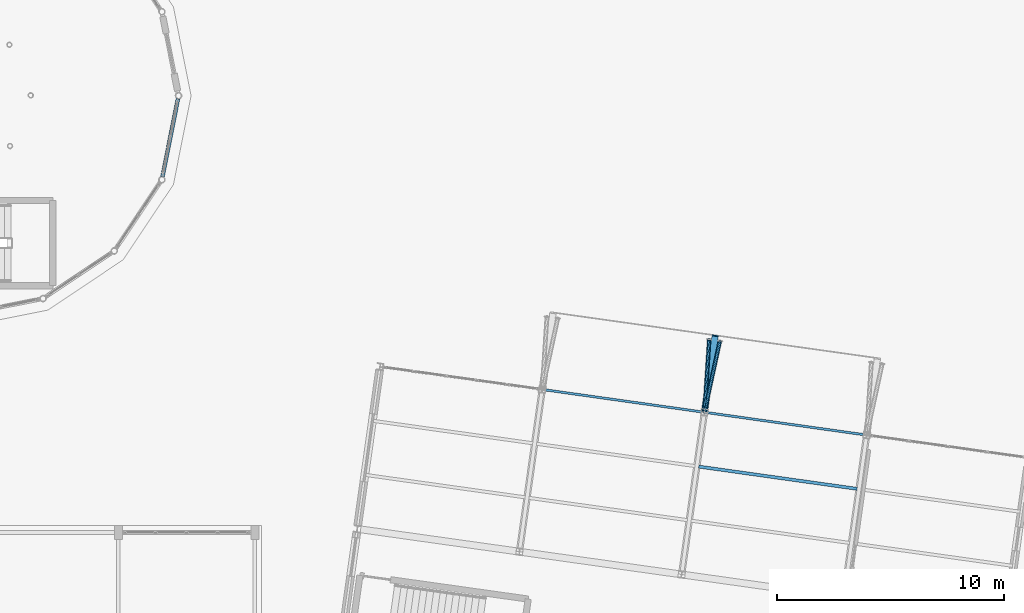
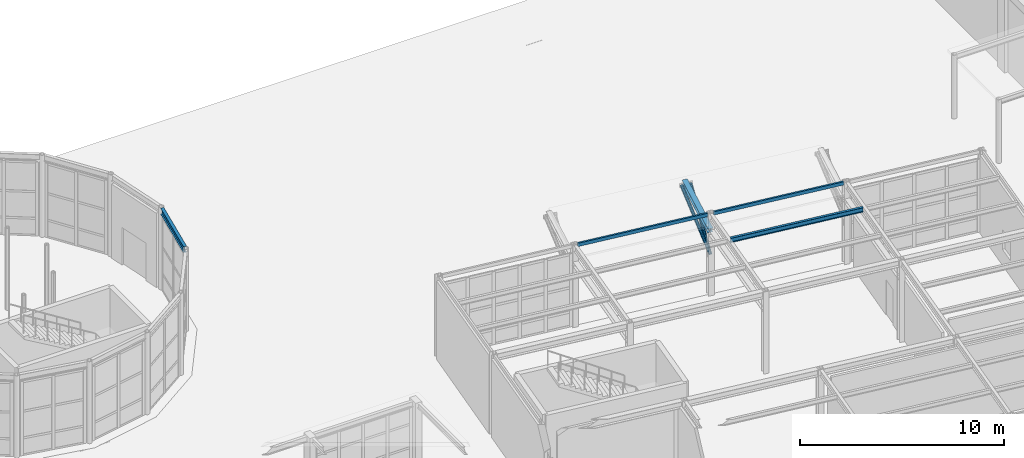
# One storey, part 28 of 57: 5 beams, 2 members.
"""IFC4 building model written with IfcOpenShell, lengths in metres."""

from ifc_helpers import new_model, si_unit, direction, frame, origin, origin_2d, place, context, subcontext, project, spatial, hollow_rectangle, hollow_circle, i_section, extrude, material, material_profile, profile_set, type_object, element, save


model = new_model("IFC4")

# Units and contexts
model_context = context("Model", 3, precision=1e-05, world=origin(), true_north=direction((0.0, 1.0)))
body_context = subcontext(model_context, "Body", "Model", "MODEL_VIEW")
ifc_project = project(units=[si_unit("LENGTHUNIT", "METRE"), si_unit("AREAUNIT", "SQUARE_METRE"), si_unit("VOLUMEUNIT", "CUBIC_METRE"), si_unit("PLANEANGLEUNIT", "RADIAN"), si_unit("MASSUNIT", "GRAM", prefix="KILO")], contexts=[model_context])

# Site, building, storey
site_placement = place(None, origin())
site = spatial("IfcSite", under=ifc_project, at=site_placement, CompositionType="ELEMENT")
building_placement = place(site_placement, origin())
building = spatial("IfcBuilding", under=site, at=building_placement, Name="Kharisveld Research Institute", CompositionType="ELEMENT")
storey_placement = place(building_placement, origin())
storey = spatial("IfcBuildingStorey", under=building, at=storey_placement, Name="L00", CompositionType="ELEMENT", Elevation=0.0)

# Beams
ifc_material_1 = material(Name="Steel S355JR", Category="steel")
ifc_material_profile_1 = material_profile(ifc_material_1, i_section(OverallWidth=0.280029296875, OverallDepth=0.27001953125, WebThickness=0.008056640625, FlangeThickness=0.012939453125, at=origin_2d()))
ifc_profile_set_1 = profile_set([ifc_material_profile_1], Name="Steel S355JR")
beam_type_1 = type_object("IfcBeamType", Name="BM_ST_HEA280", PredefinedType="BEAM", material=ifc_profile_set_1)
beam_1_placement = place(storey_placement, frame((92.26611328125, 36.8857421875, 3.81005859375), z_axis=(0.135892229378, 0.967022567261, 0.215408115918), x_axis=(-0.990270034525, 0.139159112966, 0.0)))
element("IfcBeam", 1, at=beam_1_placement, inside=storey, type_object=beam_type_1, Name="BM:V4:L00:CAN_OUT_2", PredefinedType="BEAM", context=body_context, shape_type="SweptSolid", body=[
    extrude(i_section(OverallWidth=0.280029296875, OverallDepth=0.27001953125, WebThickness=0.008056640625, FlangeThickness=0.012939453125, at=origin_2d()), origin(), (0.0, 0.0, 1.0), 3.481689453125),
])
ifc_material_2 = material(Name="Steel S355JR", Category="steel")
ifc_material_profile_2 = material_profile(ifc_material_2, i_section(OverallWidth=0.169921875, OverallDepth=0.360107421875, WebThickness=0.008056640625, FlangeThickness=0.0126953125, at=origin_2d()))
ifc_profile_set_2 = profile_set([ifc_material_profile_2], Name="Steel S355JR")
beam_type_2 = type_object("IfcBeamType", Name="BM_ST_IPE360", PredefinedType="BEAM", material=ifc_profile_set_2)
beam_2_placement = place(storey_placement, frame((68.442138671875, 47.240966796875, 4.739990234375), z_axis=(0.195053898644, 0.980792524759, 0.0), x_axis=(-0.980792524759, 0.195053898644, 0.0)))
element("IfcBeam", 2, at=beam_2_placement, inside=storey, type_object=beam_type_2, Name="BM:V6:L00:RING15", PredefinedType="BEAM", context=body_context, shape_type="SweptSolid", body=[
    extrude(i_section(OverallWidth=0.169921875, OverallDepth=0.360107421875, WebThickness=0.008056640625, FlangeThickness=0.0126953125, at=origin_2d()), origin(), (0.0, 0.0, 1.0), 3.4921875),
])
ifc_material_3 = material(Name="Steel S355JR", Category="steel")
ifc_material_profile_3 = material_profile(ifc_material_3, i_section(OverallWidth=0.135009765625, OverallDepth=0.27001953125, WebThickness=0.006591796875, FlangeThickness=0.01025390625, at=origin_2d()))
ifc_profile_set_3 = profile_set([ifc_material_profile_3], Name="Steel S355JR")
beam_type_3 = type_object("IfcBeamType", Name="JS_ST_IPE270", PredefinedType="JOIST", material=ifc_profile_set_3)
beam_3_placement = place(storey_placement, frame((92.01611328125, 34.497314453125, 4.784912109375), z_axis=(0.990265780356, -0.139189382699, 0.0), x_axis=(0.139189382699, 0.990265780356, 0.0)))
element("IfcBeam", 3, at=beam_3_placement, inside=storey, type_object=beam_type_3, Name="BM:V4:L00:J_2_2_R2", PredefinedType="JOIST", context=body_context, shape_type="SweptSolid", body=[
    extrude(i_section(OverallWidth=0.135009765625, OverallDepth=0.27001953125, WebThickness=0.006591796875, FlangeThickness=0.01025390625, at=origin_2d()), origin(), (0.0, 0.0, 1.0), 7.030029296875),
])
ifc_material_4 = material(Name="Steel S355J2H", Category="steel")
ifc_material_profile_4 = material_profile(ifc_material_4, hollow_rectangle(XDim=0.10009765625, YDim=0.199951171875, WallThickness=0.008056640625, at=origin_2d()))
ifc_profile_set_4 = profile_set([ifc_material_profile_4], Name="Steel S355J2H")
beam_type_4 = type_object("IfcBeamType", Name="SP_ST_RHS200", PredefinedType="SPANDREL", material=ifc_profile_set_4)
for number, where, z_axis, x_axis, name in (
    (4, (85.28466796875, 37.866943359375, 4.820068359375), (0.990264734633, -0.139196822312, 0.0), (0.139196822312, 0.990264734633, 0.0), "BM:V4:L00:U1_3"),
    (5, (92.41455078125, 36.86474609375, 4.820068359375), (0.990269611306, -0.139162124603, 0.0), (0.139162124603, 0.990269611306, 0.0), "BM:V4:L00:U2_3"),
):
    element("IfcBeam", number, at=place(storey_placement, frame(where, z_axis=z_axis, x_axis=x_axis)), inside=storey, type_object=beam_type_4, Name=name, PredefinedType="SPANDREL", context=body_context, shape_type="SweptSolid", body=[
        extrude(hollow_rectangle(XDim=0.10009765625, YDim=0.199951171875, WallThickness=0.008056640625, at=origin_2d()), origin(), (0.0, 0.0, 1.0), 6.89990234375),
    ])

# Members
ifc_material_5 = material(Name="Steel S355J2H", Category="steel")
ifc_material_profile_5 = material_profile(ifc_material_5, hollow_circle(Radius=0.084228515625, WallThickness=0.008056640625, at=origin_2d()))
ifc_profile_set_5 = profile_set([ifc_material_profile_5], Name="Steel S355J2H")
member_type = type_object("IfcMemberType", Name="ST_CHS168", PredefinedType="STRUT", material=ifc_profile_set_5)
member_1_placement = place(storey_placement, frame((92.26611328125, 36.8857421875, 2.39990234375), z_axis=(0.053957236669, 0.832591901356, 0.551252521453), x_axis=(-0.997906660428, 0.064670681714, 0.0)))
element("IfcMember", 6, at=member_1_placement, inside=storey, type_object=member_type, Name="MEM:V4:L00:CAN_STRUT_2A", PredefinedType="STRUT", context=body_context, shape_type="SweptSolid", body=[
    extrude(hollow_circle(Radius=0.084228515625, WallThickness=0.008056640625, at=origin_2d()), origin(), (0.0, 0.0, 1.0), 3.845947265625),
])
member_2_placement = place(storey_placement, frame((92.26611328125, 36.8857421875, 2.39990234375), z_axis=(0.177546075245, 0.815239272212, 0.55123708167), x_axis=(-0.977096644593, 0.212796022341, 0.0)))
element("IfcMember", 7, at=member_2_placement, inside=storey, type_object=member_type, Name="MEM:V4:L00:CAN_STRUT_2B", PredefinedType="STRUT", context=body_context, shape_type="SweptSolid", body=[
    extrude(hollow_circle(Radius=0.084228515625, WallThickness=0.008056640625, at=origin_2d()), origin(), (0.0, 0.0, 1.0), 3.84619140625),
])

save(model, "model.ifc")
